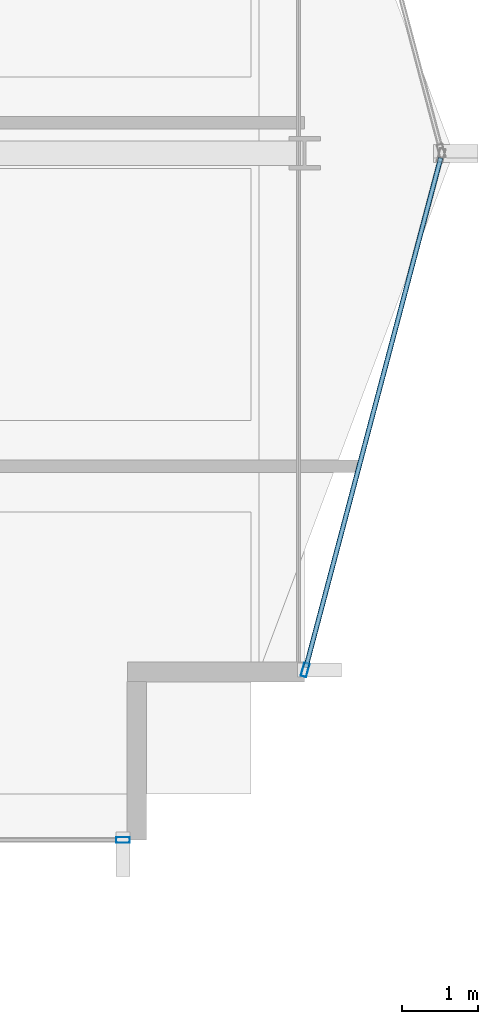
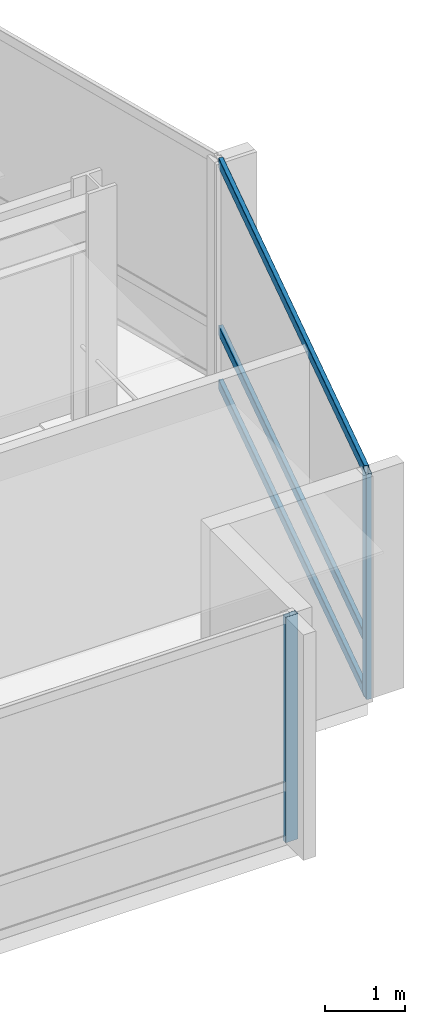
# One storey, part 11 of 29: 5 members, 2 elements without a shape of their own.
"""IFC4 building model written with IfcOpenShell, lengths in metres."""

import ifcopenshell
import ifcopenshell.guid

model = None  # the IFC model being written
_history = None  # IfcOwnerHistory: only IFC2X3 demands one
_inside = {}  # id of a spatial element -> (the spatial element, [elements in it])
_under = {}  # id of a project, library or spatial element -> (it, [spatial elements below it])
_declared = {}  # id of a project -> (the project, [libraries it declares])
_typed = {}  # id of a type object -> (the type object, [elements of that type])
_made_of = {}  # id of a material, layer set ... -> (it, [elements and type objects made of it])


def new_model(schema):
    """Start an empty IFC model of exactly this schema.

    Asked for "IFC4X3", IfcOpenShell would pick the latest addendum, in which some entities
    have other attributes; the version numbers below select the first issue.
    IFC2X3 requires an IfcOwnerHistory on every rooted entity: one is made here for all.
    """
    global model, _history
    if schema == "IFC4X3":
        model = ifcopenshell.file(schema_version=(4, 3, 0, 0))
    else:
        model = ifcopenshell.file(schema=schema)
    _inside.clear()
    _under.clear()
    _declared.clear()
    _typed.clear()
    _made_of.clear()
    _history = None
    if model.schema == "IFC2X3":
        org = make("IfcOrganization", Name="unknown")
        user = make(
            "IfcPersonAndOrganization",
            ThePerson=make("IfcPerson", FamilyName="unknown"),
            TheOrganization=org,
        )
        app = make(
            "IfcApplication",
            ApplicationDeveloper=org,
            Version="unknown",
            ApplicationFullName="unknown",
            ApplicationIdentifier="unknown",
        )
        _history = make(
            "IfcOwnerHistory",
            OwningUser=user,
            OwningApplication=app,
            ChangeAction="ADDED",
            CreationDate=0,
        )
    return model


def make(cls, **values):
    """One entity of the class cls with the attributes given. An attribute that is None is left unset."""
    return model.create_entity(
        cls, **{name: value for name, value in values.items() if value is not None}
    )


def rooted(cls, **values):
    """An entity with a GlobalId (a new one), such as an element, a storey or a relation."""
    return make(cls, GlobalId=ifcopenshell.guid.new(), OwnerHistory=_history, **values)


def si_unit(unit_type, name, prefix=None):
    """IfcSIUnit, for example si_unit("LENGTHUNIT", "METRE", prefix="MILLI")."""
    return make("IfcSIUnit", UnitType=unit_type, Prefix=prefix, Name=name)


def assignment(units):
    """IfcUnitAssignment: the units of a project."""
    return None if units is None else make("IfcUnitAssignment", Units=units)


def point(xyz):
    """IfcCartesianPoint."""
    return None if xyz is None else make("IfcCartesianPoint", Coordinates=xyz)


def direction(xyz):
    """IfcDirection."""
    return None if xyz is None else make("IfcDirection", DirectionRatios=xyz)


def frame(location, z_axis=None, x_axis=None):
    """IfcAxis2Placement3D, a coordinate frame: its origin and axes. An axis left out is left unset."""
    return make(
        "IfcAxis2Placement3D",
        Location=point(location),
        Axis=direction(z_axis),
        RefDirection=direction(x_axis),
    )


def frame_2d(location, x_axis=None):
    """IfcAxis2Placement2D, a coordinate frame in the plane: its origin and x axis."""
    return make(
        "IfcAxis2Placement2D", Location=point(location), RefDirection=direction(x_axis)
    )


def origin():
    """The frame at (0, 0, 0) with its axes left unset."""
    return frame((0.0, 0.0, 0.0))


def origin_2d():
    """The frame at (0, 0) in the plane with its x axis left unset."""
    return frame_2d((0.0, 0.0))


def place(relative_to, where):
    """IfcLocalPlacement: puts the frame where relative to a parent placement (None: the world)."""
    return make(
        "IfcLocalPlacement", PlacementRelTo=relative_to, RelativePlacement=where
    )


def context(
    kind, dimensions, precision=None, world=None, true_north=None, identifier=None
):
    """IfcGeometricRepresentationContext, for example the 3D "Model" context."""
    return make(
        "IfcGeometricRepresentationContext",
        ContextIdentifier=identifier,
        ContextType=kind,
        CoordinateSpaceDimension=dimensions,
        Precision=precision,
        WorldCoordinateSystem=world,
        TrueNorth=true_north,
    )


def subcontext(parent, identifier, kind, view, scale=None):
    """IfcGeometricRepresentationSubContext, for example "Body" below "Model"."""
    return make(
        "IfcGeometricRepresentationSubContext",
        ContextIdentifier=identifier,
        ContextType=kind,
        ParentContext=parent,
        TargetScale=scale,
        TargetView=view,
    )


def project(units=None, contexts=None):
    """IfcProject with its units and contexts."""
    return rooted(
        "IfcProject",
        Name="project",
        RepresentationContexts=contexts,
        UnitsInContext=assignment(units),
    )


def spatial(cls, under=None, at=None, **own):
    """A site, building, storey or space (cls), placed at a placement, below another one or the project."""
    s = rooted(cls, ObjectPlacement=at, **own)
    if under is not None:
        _under.setdefault(under.id(), (under, []))[1].append(s)
    return s


def profile(cls, at=None, kind="AREA", **sizes):
    """A parametric profile (cls). Its sizes go by their IFC names, for example OverallWidth=200.0."""
    return make(cls, ProfileType=kind, Position=at, **sizes)


def hollow_rectangle(**sizes):
    """IfcRectangleHollowProfileDef."""
    return profile("IfcRectangleHollowProfileDef", **sizes)


def extrude(swept, where, along, depth):
    """IfcExtrudedAreaSolid: the profile swept, set in the frame where, extruded along a direction by depth."""
    return make(
        "IfcExtrudedAreaSolid",
        SweptArea=swept,
        Position=where,
        ExtrudedDirection=direction(along),
        Depth=depth,
    )


def shape(context_of_items, identifier, shape_type, items):
    """IfcShapeRepresentation: the items that make up one representation, for example the "Body"."""
    return make(
        "IfcShapeRepresentation",
        ContextOfItems=context_of_items,
        RepresentationIdentifier=identifier,
        RepresentationType=shape_type,
        Items=items,
    )


def material(Name=None, Category=None):
    """IfcMaterial."""
    return make("IfcMaterial", Name=Name, Category=Category)


def layer(
    of_material, thickness, ventilated=None, Name=None, Category=None, Priority=None
):
    """IfcMaterialLayer: one layer of a wall or slab, of a material (None: an air gap)."""
    return make(
        "IfcMaterialLayer",
        Material=of_material,
        LayerThickness=thickness,
        IsVentilated=ventilated,
        Name=Name,
        Category=Category,
        Priority=Priority,
    )


def layer_set(layers, Name=None):
    """IfcMaterialLayerSet."""
    return make("IfcMaterialLayerSet", MaterialLayers=layers, LayerSetName=Name)


def material_profile(
    of_material, cross_section, Name=None, Category=None, Priority=None
):
    """IfcMaterialProfile: a cross section and its material."""
    return make(
        "IfcMaterialProfile",
        Name=Name,
        Material=of_material,
        Profile=cross_section,
        Priority=Priority,
        Category=Category,
    )


def profile_set(profiles, Name=None, composite=None):
    """IfcMaterialProfileSet."""
    return make(
        "IfcMaterialProfileSet",
        Name=Name,
        MaterialProfiles=profiles,
        CompositeProfile=composite,
    )


def made_of(thing, what):
    """Note that an element or type object is made of a material, layer set ...; save() writes the relation."""
    if what is not None:
        _made_of.setdefault(what.id(), (what, []))[1].append(thing)
    return thing


def type_object(cls, material=None, **own):
    """A type object (cls), such as IfcWallType, which elements share."""
    return made_of(rooted(cls, **own), material)


def element(
    cls,
    number,
    at=None,
    inside=None,
    cuts=None,
    type_object=None,
    material=None,
    context=None,
    identifier="Body",
    shape_type=None,
    held_by="IfcProductDefinitionShape",
    body=None,
    shapes=None,
    **own,
):
    """One element of the class cls, such as IfcWall. Its Tag is "e" and its number.

    at: its placement. inside: the storey or other place that contains it. cuts: it is an
    opening in that element (IfcRelVoidsElement). A single representation is given by context,
    identifier, shape_type and body (its items); several are given by shapes. held_by: the class
    of the entity that holds the representations. save() writes the other relations.
    """
    e = rooted(cls, Tag="e%d" % number, ObjectPlacement=at, **own)
    if body is not None:
        shapes = [shape(context, identifier, shape_type, body)]
    if shapes is not None:
        e.Representation = make(held_by, Representations=shapes)
    if inside is not None:
        _inside.setdefault(inside.id(), (inside, []))[1].append(e)
    if cuts is not None:
        rooted(
            "IfcRelVoidsElement", RelatingBuildingElement=cuts, RelatedOpeningElement=e
        )
    if type_object is not None:
        _typed.setdefault(type_object.id(), (type_object, []))[1].append(e)
    return made_of(e, material)


def aggregate(whole, parts):
    """IfcRelAggregates: a whole, such as a stair, and the parts it consists of."""
    return rooted("IfcRelAggregates", RelatingObject=whole, RelatedObjects=parts)


def save(model, path):
    """Write the relations noted so far, then the file.

    IfcRelAggregates (storeys below a building ...), IfcRelContainedInSpatialStructure (elements
    in a storey), IfcRelDefinesByType, IfcRelAssociatesMaterial and IfcRelDeclares: one each for
    every whole, place, type object, material and project.
    """
    for whole, parts in _under.values():
        aggregate(whole, parts)
    for where, things in _inside.values():
        rooted(
            "IfcRelContainedInSpatialStructure",
            RelatedElements=things,
            RelatingStructure=where,
        )
    for kind, things in _typed.values():
        rooted("IfcRelDefinesByType", RelatedObjects=things, RelatingType=kind)
    for what, things in _made_of.values():
        rooted("IfcRelAssociatesMaterial", RelatedObjects=things, RelatingMaterial=what)
    for by, libraries in _declared.values():
        rooted("IfcRelDeclares", RelatingContext=by, RelatedDefinitions=libraries)
    model.write(path)


model = new_model("IFC4")

# Units and contexts
model_context = context("Model", 3, precision=1e-05, world=origin(), true_north=direction((0.0, 1.0)))
body_context = subcontext(model_context, "Body", "Model", "MODEL_VIEW")
ifc_project = project(units=[si_unit("LENGTHUNIT", "METRE"), si_unit("AREAUNIT", "SQUARE_METRE"), si_unit("VOLUMEUNIT", "CUBIC_METRE"), si_unit("PLANEANGLEUNIT", "RADIAN"), si_unit("MASSUNIT", "GRAM", prefix="KILO")], contexts=[model_context])

# Site, building, storey
site_placement = place(None, origin())
site = spatial("IfcSite", under=ifc_project, at=site_placement, CompositionType="ELEMENT")
building_placement = place(site_placement, origin())
building = spatial("IfcBuilding", under=site, at=building_placement, Name="Solvaryn Broadcast Tower", CompositionType="ELEMENT")
storey_placement = place(building_placement, frame((0.0, 0.0, 139.60009765625)))
storey = spatial("IfcBuildingStorey", under=building, at=storey_placement, Name="L34", CompositionType="ELEMENT", Elevation=139.60009765625)

# Curtain wall, member
ifc_material_1 = material(Name="Aluminium and Terracotta Unitised Curtain Wall", Category="masonry")
ifc_layer = layer(ifc_material_1, 0.199951171875)
ifc_layer_set = layer_set([ifc_layer], Name="CW-SYS2-LOWMID")
curtain_wall_type = type_object("IfcCurtainWallType", Name="CW-SYS2-LOWMID", PredefinedType="NOTDEFINED", material=ifc_layer_set)
curtain_wall_1_placement = place(storey_placement, origin())
curtain_wall_1 = element("IfcCurtainWall", 1, at=curtain_wall_1_placement, inside=storey, type_object=curtain_wall_type, Name="L34 Curtain Wall S2", PredefinedType="NOTDEFINED")
ifc_material_2 = material(Name="Anodised Aluminium 6063-T6", Category="aluminium")
ifc_material_profile_1 = material_profile(ifc_material_2, hollow_rectangle(XDim=0.074951171875, YDim=0.179931640625, WallThickness=0.00390625, InnerFilletRadius=0.00390625, OuterFilletRadius=0.008056640625, at=origin_2d()))
ifc_profile_set_1 = profile_set([ifc_material_profile_1], Name="Anodised Aluminium 6063-T6")
member_type_1 = type_object("IfcMemberType", Name="CW-MUL-180", PredefinedType="MULLION", material=ifc_profile_set_1)
member_1_placement = place(storey_placement, frame((51.6201171875, 9.0, 0.0), z_axis=(0.0, 0.0, 1.0), x_axis=(0.0, 1.0, 0.0)))
member_1 = element("IfcMember", 2, at=member_1_placement, type_object=member_type_1, Name="CWS2 mullion 2", PredefinedType="MULLION", context=body_context, shape_type="SweptSolid", body=[
    extrude(hollow_rectangle(XDim=0.074951171875, YDim=0.179931640625, WallThickness=0.00390625, InnerFilletRadius=0.00390625, OuterFilletRadius=0.008056640625, at=origin_2d()), origin(), (0.0, 0.0, 1.0), 3.419921875),
])
aggregate(curtain_wall_1, [member_1])

# Curtain wall, members
curtain_wall_2_placement = place(storey_placement, origin())
curtain_wall_2 = element("IfcCurtainWall", 3, at=curtain_wall_2_placement, inside=storey, type_object=curtain_wall_type, Name="L34 Curtain Wall ET2", PredefinedType="NOTDEFINED")
member_2_placement = place(storey_placement, frame((54.007568359375, 11.22900390625, 0.0), z_axis=(0.0, 0.0, 1.0), x_axis=(0.966705227863, -0.25589256031, 0.0)))
member_2 = element("IfcMember", 4, at=member_2_placement, type_object=member_type_1, Name="CWS2 mullion 2", PredefinedType="MULLION", context=body_context, shape_type="SweptSolid", body=[
    extrude(hollow_rectangle(XDim=0.074951171875, YDim=0.179931640625, WallThickness=0.00390625, InnerFilletRadius=0.00390625, OuterFilletRadius=0.008056640625, at=origin_2d()), origin(), (0.0, 0.0, 1.0), 3.419921875),
])
ifc_material_3 = material(Name="Anodised Aluminium 6063-T6", Category="aluminium")
ifc_material_profile_2 = material_profile(ifc_material_3, hollow_rectangle(XDim=0.06494140625, YDim=0.14990234375, WallThickness=0.00390625, InnerFilletRadius=0.00390625, OuterFilletRadius=0.008056640625, at=origin_2d()))
ifc_profile_set_2 = profile_set([ifc_material_profile_2], Name="Anodised Aluminium 6063-T6")
member_type_2 = type_object("IfcMemberType", Name="CW-TRN-150", PredefinedType="USERDEFINED", material=ifc_profile_set_2)
member_3_placement = place(storey_placement, frame((55.78466796875, 17.94189453125, 0.02978515625), z_axis=(-0.255897413051, -0.966703943301, 0.0), x_axis=(0.966703943301, -0.255897413051, 0.0)))
member_3 = element("IfcMember", 5, at=member_3_placement, type_object=member_type_2, Name="CWS2 transom 1.1", ObjectType="TRANSOM", PredefinedType="USERDEFINED", context=body_context, shape_type="SweptSolid", body=[
    extrude(hollow_rectangle(XDim=0.06494140625, YDim=0.14990234375, WallThickness=0.00390625, InnerFilletRadius=0.00390625, OuterFilletRadius=0.008056640625, at=origin_2d()), origin(), (0.0, 0.0, 1.0), 6.9140625),
])
member_4_placement = place(storey_placement, frame((55.78466796875, 17.94189453125, 0.849853515625), z_axis=(-0.255897413051, -0.966703943301, 0.0), x_axis=(0.966703943301, -0.255897413051, 0.0)))
member_4 = element("IfcMember", 6, at=member_4_placement, type_object=member_type_2, Name="CWS2 transom 1.2", ObjectType="TRANSOM", PredefinedType="USERDEFINED", context=body_context, shape_type="SweptSolid", body=[
    extrude(hollow_rectangle(XDim=0.06494140625, YDim=0.14990234375, WallThickness=0.00390625, InnerFilletRadius=0.00390625, OuterFilletRadius=0.008056640625, at=origin_2d()), origin(), (0.0, 0.0, 1.0), 6.9140625),
])
member_5_placement = place(storey_placement, frame((55.78466796875, 17.94189453125, 3.389892578125), z_axis=(-0.255897413051, -0.966703943301, 0.0), x_axis=(0.966703943301, -0.255897413051, 0.0)))
member_5 = element("IfcMember", 7, at=member_5_placement, type_object=member_type_2, Name="CWS2 transom 1.3", ObjectType="TRANSOM", PredefinedType="USERDEFINED", context=body_context, shape_type="SweptSolid", body=[
    extrude(hollow_rectangle(XDim=0.06494140625, YDim=0.14990234375, WallThickness=0.00390625, InnerFilletRadius=0.00390625, OuterFilletRadius=0.008056640625, at=origin_2d()), origin(), (0.0, 0.0, 1.0), 6.9140625),
])
aggregate(curtain_wall_2, [member_2, member_3, member_4, member_5])

save(model, "model.ifc")
